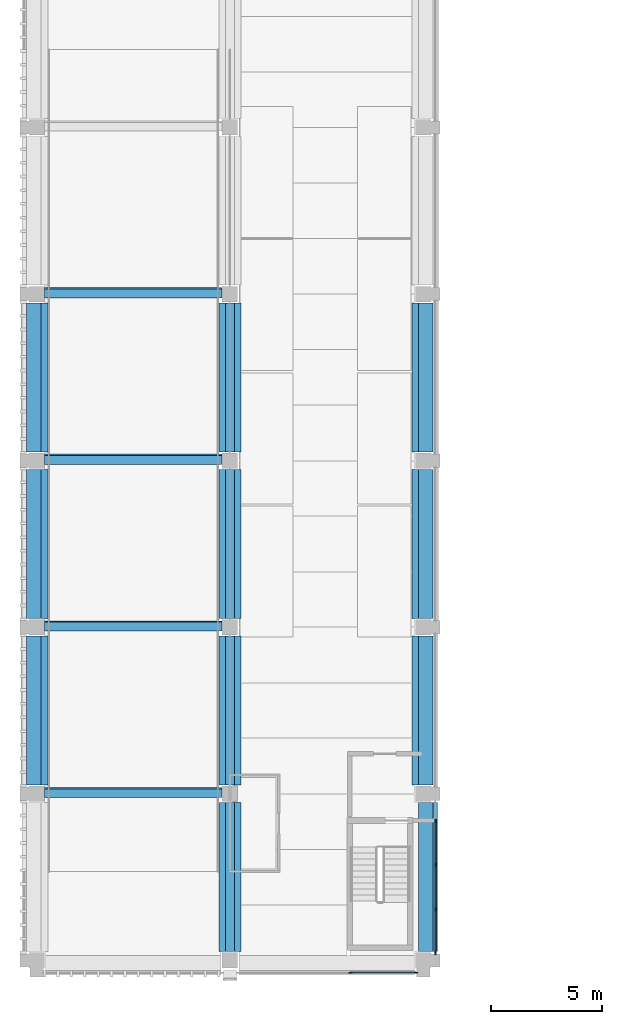
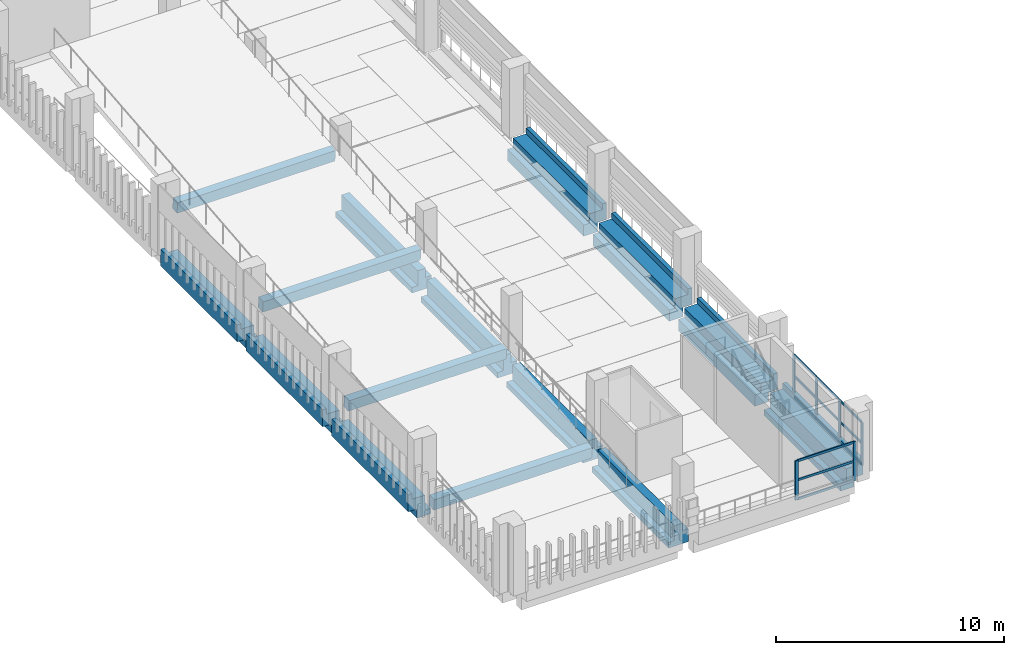
# One storey, part 2 of 24: 18 members, 15 beams, 2 elements without a shape of their own.
"""IFC4 building model written with IfcOpenShell, lengths in metres."""

from ifc_helpers import new_model, si_unit, direction, frame, origin, origin_2d, place, context, subcontext, project, spatial, polyline, rectangle, outline, extrude, material, layer, layer_set, material_profile, profile_set, type_object, element, aggregate, save


model = new_model("IFC4")

# Units and contexts
model_context = context("Model", 3, precision=1e-05, world=origin(), true_north=direction((0.0, 1.0)))
body_context = subcontext(model_context, "Body", "Model", "MODEL_VIEW")
ifc_project = project(units=[si_unit("LENGTHUNIT", "METRE"), si_unit("AREAUNIT", "SQUARE_METRE"), si_unit("VOLUMEUNIT", "CUBIC_METRE"), si_unit("PLANEANGLEUNIT", "RADIAN"), si_unit("MASSUNIT", "GRAM", prefix="KILO")], contexts=[model_context])

# Site, building, storey
site_placement = place(None, origin())
site = spatial("IfcSite", under=ifc_project, at=site_placement, CompositionType="ELEMENT")
building_placement = place(site_placement, origin())
building = spatial("IfcBuilding", under=site, at=building_placement, Name="Cour d'Honneur Mobility Palace", CompositionType="ELEMENT")
storey_placement = place(building_placement, frame((0.0, 0.0, 26.699951171875)))
storey = spatial("IfcBuildingStorey", under=building, at=storey_placement, Name="L07", CompositionType="ELEMENT", Elevation=26.699951171875)

# Curtain wall, members
ifc_material_1 = material(Name="Aluminium and glass", Category="aluminium")
ifc_layer = layer(ifc_material_1, 0.10009765625)
ifc_layer_set = layer_set([ifc_layer], Name="Aluminium and glass")
curtain_wall_type = type_object("IfcCurtainWallType", Name="Curtain wall run", PredefinedType="NOTDEFINED", material=ifc_layer_set)
curtain_wall_1_placement = place(storey_placement, origin())
curtain_wall_1 = element("IfcCurtainWall", 1, at=curtain_wall_1_placement, inside=storey, type_object=curtain_wall_type, Name="Curtain wall CW-165", PredefinedType="NOTDEFINED")
ifc_material_2 = material(Name="Aluminium", Category="aluminium")
ifc_material_profile_1 = material_profile(ifc_material_2, rectangle(XDim=0.06005859375, YDim=0.159912109375, at=origin_2d()), Name="Curtain wall mullion")
ifc_profile_set_1 = profile_set([ifc_material_profile_1], Name="Aluminium")
member_type_1 = type_object("IfcMemberType", Name="Curtain wall mullion", PredefinedType="MULLION", material=ifc_profile_set_1)
member_1_placement = place(storey_placement, frame((14.1298828125, -0.550048828125, 0.0), z_axis=(0.0, 0.0, 1.0), x_axis=(0.0, 1.0, 0.0)))
member_1 = element("IfcMember", 2, at=member_1_placement, type_object=member_type_1, Name="CW-165 mullion 1", PredefinedType="MULLION", context=body_context, shape_type="SweptSolid", body=[
    extrude(rectangle(XDim=0.06005859375, YDim=0.159912109375, at=origin_2d()), origin(), (0.0, 0.0, 1.0), 2.10009765625),
])
member_2_placement = place(storey_placement, frame((17.070068359375, -0.550048828125, 0.0), z_axis=(0.0, 0.0, 1.0), x_axis=(0.0, 1.0, 0.0)))
member_2 = element("IfcMember", 3, at=member_2_placement, type_object=member_type_1, Name="CW-165 mullion 2", PredefinedType="MULLION", context=body_context, shape_type="SweptSolid", body=[
    extrude(rectangle(XDim=0.06005859375, YDim=0.159912109375, at=origin_2d()), origin(), (0.0, 0.0, 1.0), 2.10009765625),
])

curtain_wall_2_placement = place(storey_placement, origin())
curtain_wall_2 = element("IfcCurtainWall", 4, at=curtain_wall_2_placement, inside=storey, type_object=curtain_wall_type, Name="Curtain wall CW-166", PredefinedType="NOTDEFINED")
member_3_placement = place(storey_placement, frame((17.949951171875, 0.330078125, 0.0), z_axis=(0.0, 0.0, 1.0), x_axis=(-1.0, 0.0, 0.0)))
member_3 = element("IfcMember", 5, at=member_3_placement, type_object=member_type_1, Name="CW-166 mullion 1", PredefinedType="MULLION", context=body_context, shape_type="SweptSolid", body=[
    extrude(rectangle(XDim=0.06005859375, YDim=0.159912109375, at=origin_2d()), origin(), (0.0, 0.0, 1.0), 2.300048828125),
])
member_4_placement = place(storey_placement, frame((17.949951171875, 2.300048828125, 0.0), z_axis=(0.0, 0.0, 1.0), x_axis=(-1.0, 0.0, 0.0)))
member_4 = element("IfcMember", 6, at=member_4_placement, type_object=member_type_1, Name="CW-166 mullion 2", PredefinedType="MULLION", context=body_context, shape_type="SweptSolid", body=[
    extrude(rectangle(XDim=0.06005859375, YDim=0.159912109375, at=origin_2d()), origin(), (0.0, 0.0, 1.0), 2.300048828125),
])
member_5_placement = place(storey_placement, frame((17.949951171875, 4.300048828125, 0.0), z_axis=(0.0, 0.0, 1.0), x_axis=(-1.0, 0.0, 0.0)))
member_5 = element("IfcMember", 7, at=member_5_placement, type_object=member_type_1, Name="CW-166 mullion 3", PredefinedType="MULLION", context=body_context, shape_type="SweptSolid", body=[
    extrude(rectangle(XDim=0.06005859375, YDim=0.159912109375, at=origin_2d()), origin(), (0.0, 0.0, 1.0), 2.300048828125),
])
member_6_placement = place(storey_placement, frame((17.949951171875, 6.27001953125, 0.0), z_axis=(0.0, 0.0, 1.0), x_axis=(-1.0, 0.0, 0.0)))
member_6 = element("IfcMember", 8, at=member_6_placement, type_object=member_type_1, Name="CW-166 mullion 4", PredefinedType="MULLION", context=body_context, shape_type="SweptSolid", body=[
    extrude(rectangle(XDim=0.06005859375, YDim=0.159912109375, at=origin_2d()), origin(), (0.0, 0.0, 1.0), 2.300048828125),
])

# Member
ifc_material_3 = material(Name="Aluminium", Category="aluminium")
ifc_material_profile_2 = material_profile(ifc_material_3, rectangle(XDim=0.06005859375, YDim=0.1201171875, at=origin_2d()), Name="Curtain wall transom")
ifc_profile_set_2 = profile_set([ifc_material_profile_2], Name="Aluminium")
member_type_2 = type_object("IfcMemberType", Name="Curtain wall transom", PredefinedType="USERDEFINED", material=ifc_profile_set_2)
member_7_placement = place(storey_placement, frame((14.159912109375, -0.550048828125, 0.030029296875), z_axis=(1.0, 0.0, 0.0), x_axis=(0.0, 1.0, 0.0)))
member_7 = element("IfcMember", 9, at=member_7_placement, type_object=member_type_2, Name="CW-165 transom 1.1", ObjectType="TRANSOM", PredefinedType="USERDEFINED", context=body_context, shape_type="SweptSolid", body=[
    extrude(rectangle(XDim=0.06005859375, YDim=0.1201171875, at=origin_2d()), origin(), (0.0, 0.0, 1.0), 2.880126953125),
])

member_8_placement = place(storey_placement, frame((14.159912109375, -0.550048828125, 1.050048828125), z_axis=(1.0, 0.0, 0.0), x_axis=(0.0, 1.0, 0.0)))
member_8 = element("IfcMember", 10, at=member_8_placement, type_object=member_type_2, Name="CW-165 transom 1.2", ObjectType="TRANSOM", PredefinedType="USERDEFINED", context=body_context, shape_type="SweptSolid", body=[
    extrude(rectangle(XDim=0.06005859375, YDim=0.1201171875, at=origin_2d()), origin(), (0.0, 0.0, 1.0), 2.880126953125),
])

member_9_placement = place(storey_placement, frame((14.159912109375, -0.550048828125, 2.070068359375), z_axis=(1.0, 0.0, 0.0), x_axis=(0.0, 1.0, 0.0)))
member_9 = element("IfcMember", 11, at=member_9_placement, type_object=member_type_2, Name="CW-165 transom 1.3", ObjectType="TRANSOM", PredefinedType="USERDEFINED", context=body_context, shape_type="SweptSolid", body=[
    extrude(rectangle(XDim=0.06005859375, YDim=0.1201171875, at=origin_2d()), origin(), (0.0, 0.0, 1.0), 2.880126953125),
])

aggregate(curtain_wall_1, [member_1, member_2, member_7, member_8, member_9])

member_10_placement = place(storey_placement, frame((17.949951171875, 0.360107421875, 0.030029296875), z_axis=(0.0, 1.0, 0.0), x_axis=(-1.0, 0.0, 0.0)))
member_10 = element("IfcMember", 12, at=member_10_placement, type_object=member_type_2, Name="CW-166 transom 1.1", ObjectType="TRANSOM", PredefinedType="USERDEFINED", context=body_context, shape_type="SweptSolid", body=[
    extrude(rectangle(XDim=0.06005859375, YDim=0.1201171875, at=origin_2d()), origin(), (0.0, 0.0, 1.0), 1.909912109375),
])

member_11_placement = place(storey_placement, frame((17.949951171875, 0.360107421875, 1.150146484375), z_axis=(0.0, 1.0, 0.0), x_axis=(-1.0, 0.0, 0.0)))
member_11 = element("IfcMember", 13, at=member_11_placement, type_object=member_type_2, Name="CW-166 transom 1.2", ObjectType="TRANSOM", PredefinedType="USERDEFINED", context=body_context, shape_type="SweptSolid", body=[
    extrude(rectangle(XDim=0.06005859375, YDim=0.1201171875, at=origin_2d()), origin(), (0.0, 0.0, 1.0), 1.909912109375),
])

member_12_placement = place(storey_placement, frame((17.949951171875, 0.360107421875, 2.27001953125), z_axis=(0.0, 1.0, 0.0), x_axis=(-1.0, 0.0, 0.0)))
member_12 = element("IfcMember", 14, at=member_12_placement, type_object=member_type_2, Name="CW-166 transom 1.3", ObjectType="TRANSOM", PredefinedType="USERDEFINED", context=body_context, shape_type="SweptSolid", body=[
    extrude(rectangle(XDim=0.06005859375, YDim=0.1201171875, at=origin_2d()), origin(), (0.0, 0.0, 1.0), 1.909912109375),
])

member_13_placement = place(storey_placement, frame((17.949951171875, 2.330078125, 0.030029296875), z_axis=(0.0, 1.0, 0.0), x_axis=(-1.0, 0.0, 0.0)))
member_13 = element("IfcMember", 15, at=member_13_placement, type_object=member_type_2, Name="CW-166 transom 2.1", ObjectType="TRANSOM", PredefinedType="USERDEFINED", context=body_context, shape_type="SweptSolid", body=[
    extrude(rectangle(XDim=0.06005859375, YDim=0.1201171875, at=origin_2d()), origin(), (0.0, 0.0, 1.0), 1.93994140625),
])

member_14_placement = place(storey_placement, frame((17.949951171875, 2.330078125, 1.150146484375), z_axis=(0.0, 1.0, 0.0), x_axis=(-1.0, 0.0, 0.0)))
member_14 = element("IfcMember", 16, at=member_14_placement, type_object=member_type_2, Name="CW-166 transom 2.2", ObjectType="TRANSOM", PredefinedType="USERDEFINED", context=body_context, shape_type="SweptSolid", body=[
    extrude(rectangle(XDim=0.06005859375, YDim=0.1201171875, at=origin_2d()), origin(), (0.0, 0.0, 1.0), 1.93994140625),
])

member_15_placement = place(storey_placement, frame((17.949951171875, 2.330078125, 2.27001953125), z_axis=(0.0, 1.0, 0.0), x_axis=(-1.0, 0.0, 0.0)))
member_15 = element("IfcMember", 17, at=member_15_placement, type_object=member_type_2, Name="CW-166 transom 2.3", ObjectType="TRANSOM", PredefinedType="USERDEFINED", context=body_context, shape_type="SweptSolid", body=[
    extrude(rectangle(XDim=0.06005859375, YDim=0.1201171875, at=origin_2d()), origin(), (0.0, 0.0, 1.0), 1.93994140625),
])

member_16_placement = place(storey_placement, frame((17.949951171875, 4.330078125, 0.030029296875), z_axis=(0.0, 1.0, 0.0), x_axis=(-1.0, 0.0, 0.0)))
member_16 = element("IfcMember", 18, at=member_16_placement, type_object=member_type_2, Name="CW-166 transom 3.1", ObjectType="TRANSOM", PredefinedType="USERDEFINED", context=body_context, shape_type="SweptSolid", body=[
    extrude(rectangle(XDim=0.06005859375, YDim=0.1201171875, at=origin_2d()), origin(), (0.0, 0.0, 1.0), 1.909912109375),
])

member_17_placement = place(storey_placement, frame((17.949951171875, 4.330078125, 1.150146484375), z_axis=(0.0, 1.0, 0.0), x_axis=(-1.0, 0.0, 0.0)))
member_17 = element("IfcMember", 19, at=member_17_placement, type_object=member_type_2, Name="CW-166 transom 3.2", ObjectType="TRANSOM", PredefinedType="USERDEFINED", context=body_context, shape_type="SweptSolid", body=[
    extrude(rectangle(XDim=0.06005859375, YDim=0.1201171875, at=origin_2d()), origin(), (0.0, 0.0, 1.0), 1.909912109375),
])

member_18_placement = place(storey_placement, frame((17.949951171875, 4.330078125, 2.27001953125), z_axis=(0.0, 1.0, 0.0), x_axis=(-1.0, 0.0, 0.0)))
member_18 = element("IfcMember", 20, at=member_18_placement, type_object=member_type_2, Name="CW-166 transom 3.3", ObjectType="TRANSOM", PredefinedType="USERDEFINED", context=body_context, shape_type="SweptSolid", body=[
    extrude(rectangle(XDim=0.06005859375, YDim=0.1201171875, at=origin_2d()), origin(), (0.0, 0.0, 1.0), 1.909912109375),
])

aggregate(curtain_wall_2, [member_3, member_4, member_5, member_6, member_10, member_11, member_12, member_13, member_14, member_15, member_16, member_17, member_18])

# Beams
ifc_material_4 = material(Name="Concrete C45", Category="concrete")
ifc_material_profile_3 = material_profile(ifc_material_4, outline(polyline([(0.5, -1.10009765625), (0.5, -0.800048828125), (0.199951171875, -0.800048828125), (0.199951171875, 0.0), (-0.199951171875, 0.0), (-0.199951171875, -0.5), (-0.5, -0.5), (-0.5, -1.10009765625), (0.5, -1.10009765625)])), Name="Inverted Tee Beam 400x1100 ledges 300/600 plain")
ifc_profile_set_3 = profile_set([ifc_material_profile_3], Name="Concrete C45")
beam_type_1 = type_object("IfcBeamType", Name="Inverted Tee Beam 400x1100 ledges 300/600 plain", PredefinedType="T_BEAM", material=ifc_profile_set_3)
for number, where, z_axis, x_axis, name in (
    (21, (8.699951171875, 7.89990234375, 0.0), (0.0, 1.0, 0.0), (-1.0, 0.0, 0.0), "Precast beam B11 B-C L07"),
    (22, (8.699951171875, 15.39990234375, 0.0), (0.0, 1.0, 0.0), (-1.0, 0.0, 0.0), "Precast beam B11 C-D L07"),
    (23, (8.699951171875, 22.89990234375, 0.0), (0.0, 1.0, 0.0), (-1.0, 0.0, 0.0), "Precast beam B11 D-E L07"),
):
    element("IfcBeam", number, at=place(storey_placement, frame(where, z_axis=z_axis, x_axis=x_axis)), inside=storey, type_object=beam_type_1, Name=name, PredefinedType="T_BEAM", context=body_context, shape_type="SweptSolid", body=[
        extrude(outline(polyline([(0.5, -1.10009765625), (0.5, -0.800048828125), (0.199951171875, -0.800048828125), (0.199951171875, 0.0), (-0.199951171875, 0.0), (-0.199951171875, -0.5), (-0.5, -0.5), (-0.5, -1.10009765625), (0.5, -1.10009765625)])), origin(), (0.0, 0.0, 1.0), 6.7001953125),
    ])
ifc_material_5 = material(Name="Concrete C45", Category="concrete")
ifc_material_profile_4 = material_profile(ifc_material_5, outline(polyline([(0.5, -1.10009765625), (0.5, -0.800048828125), (0.199951171875, -0.800048828125), (0.199951171875, 0.0), (-0.199951171875, 0.0), (-0.199951171875, -0.39990234375), (-0.5, -0.39990234375), (-0.5, -1.10009765625), (0.5, -1.10009765625)])), Name="Inverted Tee Beam 400x1100 ledges 300/700 plain")
ifc_profile_set_4 = profile_set([ifc_material_profile_4], Name="Concrete C45")
beam_type_2 = type_object("IfcBeamType", Name="Inverted Tee Beam 400x1100 ledges 300/700 plain", PredefinedType="T_BEAM", material=ifc_profile_set_4)
beam_1_placement = place(storey_placement, frame((8.699951171875, 0.39990234375, 0.0), z_axis=(0.0, 1.0, 0.0), x_axis=(-1.0, 0.0, 0.0)))
element("IfcBeam", 24, at=beam_1_placement, inside=storey, type_object=beam_type_2, Name="Precast beam B10 A-B L07", PredefinedType="T_BEAM", context=body_context, shape_type="SweptSolid", body=[
    extrude(outline(polyline([(0.5, -1.10009765625), (0.5, -0.800048828125), (0.199951171875, -0.800048828125), (0.199951171875, 0.0), (-0.199951171875, 0.0), (-0.199951171875, -0.39990234375), (-0.5, -0.39990234375), (-0.5, -1.10009765625), (0.5, -1.10009765625)])), origin(), (0.0, 0.0, 1.0), 6.7001953125),
])
ifc_material_6 = material(Name="Concrete C45", Category="concrete")
ifc_material_profile_5 = material_profile(ifc_material_6, outline(polyline([(0.5, -1.10009765625), (0.5, -0.800048828125), (0.199951171875, -0.800048828125), (0.199951171875, 0.0), (-0.199951171875, 0.0), (-0.449951171875, 0.0), (-0.449951171875, 0.300048828125), (-0.64990234375, 0.300048828125), (-0.64990234375, -0.60009765625), (-0.199951171875, -0.60009765625), (-0.199951171875, -1.10009765625), (0.5, -1.10009765625)])), Name="Ledger Beam 400x1100 ledge left 300 facade right")
ifc_profile_set_5 = profile_set([ifc_material_profile_5], Name="Concrete C45")
beam_type_3 = type_object("IfcBeamType", Name="Ledger Beam 400x1100 ledge left 300 facade right", PredefinedType="BEAM", material=ifc_profile_set_5)
beam_2_placement = place(storey_placement, frame((17.39990234375, 0.39990234375, 0.0), z_axis=(0.0, 1.0, 0.0), x_axis=(-1.0, 0.0, 0.0)))
element("IfcBeam", 25, at=beam_2_placement, inside=storey, type_object=beam_type_3, Name="Precast beam B3 A-B L07", PredefinedType="BEAM", context=body_context, shape_type="SweptSolid", body=[
    extrude(outline(polyline([(0.5, -1.10009765625), (0.5, -0.800048828125), (0.199951171875, -0.800048828125), (0.199951171875, 0.0), (-0.199951171875, 0.0), (-0.449951171875, 0.0), (-0.449951171875, 0.300048828125), (-0.64990234375, 0.300048828125), (-0.64990234375, -0.60009765625), (-0.199951171875, -0.60009765625), (-0.199951171875, -1.10009765625), (0.5, -1.10009765625)])), origin(), (0.0, 0.0, 1.0), 6.7001953125),
])
ifc_material_7 = material(Name="Concrete C45", Category="concrete")
ifc_material_profile_6 = material_profile(ifc_material_7, outline(polyline([(0.5, -1.10009765625), (0.5, -0.5), (0.199951171875, -0.5), (0.199951171875, 0.0), (-0.199951171875, 0.0), (-0.449951171875, 0.0), (-0.449951171875, 0.300048828125), (-0.64990234375, 0.300048828125), (-0.64990234375, -0.60009765625), (-0.199951171875, -0.60009765625), (-0.199951171875, -1.10009765625), (0.5, -1.10009765625)])), Name="Ledger Beam 400x1100 ledge left 600 facade right")
ifc_profile_set_6 = profile_set([ifc_material_profile_6], Name="Concrete C45")
beam_type_4 = type_object("IfcBeamType", Name="Ledger Beam 400x1100 ledge left 600 facade right", PredefinedType="BEAM", material=ifc_profile_set_6)
for number, where, z_axis, x_axis, name in (
    (26, (17.39990234375, 7.89990234375, 0.0), (0.0, 1.0, 0.0), (-1.0, 0.0, 0.0), "Precast beam B12 B-C L07"),
    (27, (17.39990234375, 15.39990234375, 0.0), (0.0, 1.0, 0.0), (-1.0, 0.0, 0.0), "Precast beam B12 C-D L07"),
    (28, (17.39990234375, 22.89990234375, 0.0), (0.0, 1.0, 0.0), (-1.0, 0.0, 0.0), "Precast beam B12 D-E L07"),
):
    element("IfcBeam", number, at=place(storey_placement, frame(where, z_axis=z_axis, x_axis=x_axis)), inside=storey, type_object=beam_type_4, Name=name, PredefinedType="BEAM", context=body_context, shape_type="SweptSolid", body=[
        extrude(outline(polyline([(0.5, -1.10009765625), (0.5, -0.5), (0.199951171875, -0.5), (0.199951171875, 0.0), (-0.199951171875, 0.0), (-0.449951171875, 0.0), (-0.449951171875, 0.300048828125), (-0.64990234375, 0.300048828125), (-0.64990234375, -0.60009765625), (-0.199951171875, -0.60009765625), (-0.199951171875, -1.10009765625), (0.5, -1.10009765625)])), origin(), (0.0, 0.0, 1.0), 6.7001953125),
    ])
ifc_material_8 = material(Name="Concrete C45", Category="concrete")
ifc_material_profile_7 = material_profile(ifc_material_8, outline(polyline([(0.199951171875, -1.10009765625), (0.199951171875, -0.60009765625), (0.64990234375, -0.60009765625), (0.64990234375, 0.300048828125), (0.449951171875, 0.300048828125), (0.449951171875, 0.0), (0.199951171875, 0.0), (-0.199951171875, 0.0), (-0.199951171875, -0.800048828125), (-0.5, -0.800048828125), (-0.5, -1.10009765625), (0.199951171875, -1.10009765625)])), Name="Ledger Beam 400x1100 ledge right 300 facade left")
ifc_profile_set_7 = profile_set([ifc_material_profile_7], Name="Concrete C45")
beam_type_5 = type_object("IfcBeamType", Name="Ledger Beam 400x1100 ledge right 300 facade left", PredefinedType="BEAM", material=ifc_profile_set_7)
for number, where, z_axis, x_axis, name in (
    (29, (0.0, 7.89990234375, 0.0), (0.0, 1.0, 0.0), (-1.0, 0.0, 0.0), "Precast beam B6 B-C L07"),
    (30, (0.0, 15.39990234375, 0.0), (0.0, 1.0, 0.0), (-1.0, 0.0, 0.0), "Precast beam B6 C-D L07"),
    (31, (0.0, 22.89990234375, 0.0), (0.0, 1.0, 0.0), (-1.0, 0.0, 0.0), "Precast beam B6 D-E L07"),
):
    element("IfcBeam", number, at=place(storey_placement, frame(where, z_axis=z_axis, x_axis=x_axis)), inside=storey, type_object=beam_type_5, Name=name, PredefinedType="BEAM", context=body_context, shape_type="SweptSolid", body=[
        extrude(outline(polyline([(0.199951171875, -1.10009765625), (0.199951171875, -0.60009765625), (0.64990234375, -0.60009765625), (0.64990234375, 0.300048828125), (0.449951171875, 0.300048828125), (0.449951171875, 0.0), (0.199951171875, 0.0), (-0.199951171875, 0.0), (-0.199951171875, -0.800048828125), (-0.5, -0.800048828125), (-0.5, -1.10009765625), (0.199951171875, -1.10009765625)])), origin(), (0.0, 0.0, 1.0), 6.7001953125),
    ])
ifc_material_9 = material(Name="Concrete C40", Category="concrete")
ifc_material_profile_8 = material_profile(ifc_material_9, rectangle(XDim=0.39990234375, YDim=0.60009765625, at=origin_2d()), Name="Ramp cross beam 400x600")
ifc_profile_set_8 = profile_set([ifc_material_profile_8], Name="Concrete C40")
beam_type_6 = type_object("IfcBeamType", Name="Ramp cross beam 400x600", PredefinedType="BEAM", material=ifc_profile_set_8)
for number, where, z_axis, x_axis, name in (
    (32, (0.35009765625, 7.559814453125, -0.2470703125), (1.0, 0.0, 0.0), (0.0, 0.995037190449, 0.099503716633), "Ramp cross beam SW.R7-1"),
    (33, (0.35009765625, 15.059814453125, 0.5029296875), (1.0, 0.0, 0.0), (0.0, 0.995037190449, 0.099503716633), "Ramp cross beam SW.R7-2"),
    (34, (0.35009765625, 22.559814453125, 1.2529296875), (1.0, 0.0, 0.0), (0.0, 0.995037190449, 0.099503716633), "Ramp cross beam SW.R7-3"),
    (35, (0.35009765625, 30.059814453125, 2.0029296875), (1.0, 0.0, 0.0), (0.0, 0.995037190449, 0.099503716633), "Ramp cross beam SW.R7-4"),
):
    element("IfcBeam", number, at=place(storey_placement, frame(where, z_axis=z_axis, x_axis=x_axis)), inside=storey, type_object=beam_type_6, Name=name, PredefinedType="BEAM", context=body_context, shape_type="SweptSolid", body=[
        extrude(rectangle(XDim=0.39990234375, YDim=0.60009765625, at=origin_2d()), origin(), (0.0, 0.0, 1.0), 8.0),
    ])

save(model, "model.ifc")
